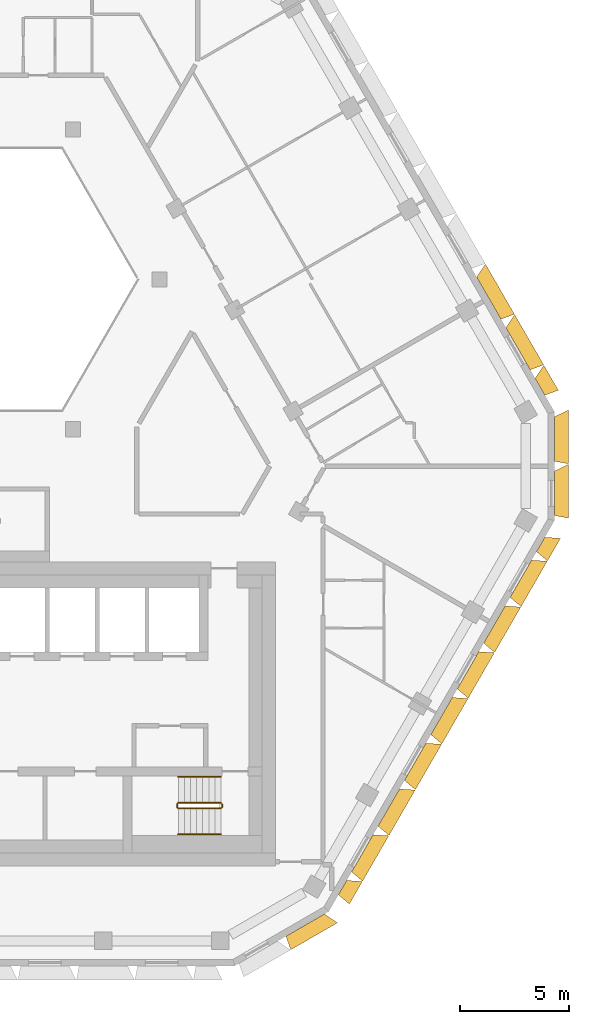
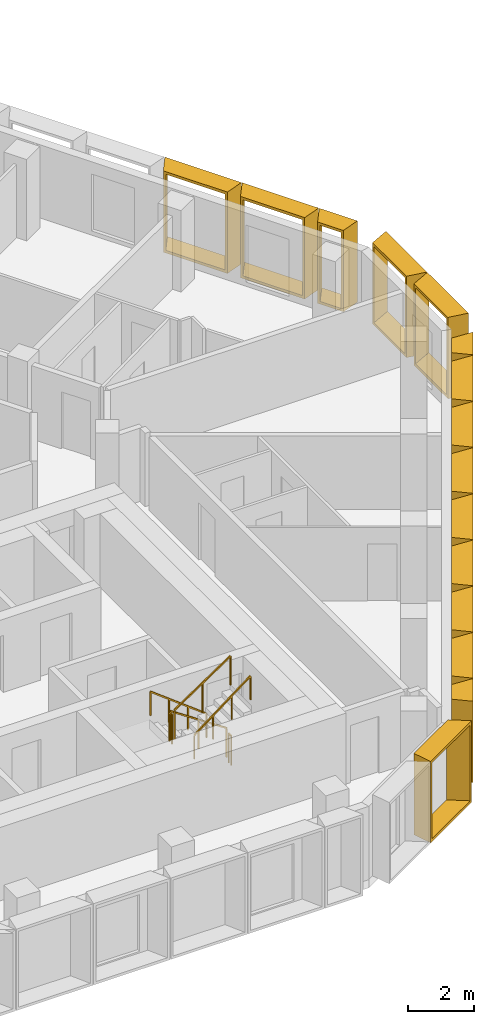
# One storey, part 14 of 15: 15 shading devices, 6 railings.
"""IFC4 building model written with IfcOpenShell, lengths in metres."""

from ifc_helpers import new_model, entity, si_unit, direction, frame, origin, origin_2d, place, context, subcontext, project, spatial, rectangle, extrude, source, transform, mapped, material, type_object, type_shapes, element, save


model = new_model("IFC4")

# Units and contexts
model_context = context("Model", 3, precision=1e-05, world=origin(), true_north=direction((0.0, 1.0)))
body_context = subcontext(model_context, "Body", "Model", "MODEL_VIEW")
ifc_project = project(units=[si_unit("LENGTHUNIT", "METRE"), si_unit("AREAUNIT", "SQUARE_METRE"), si_unit("VOLUMEUNIT", "CUBIC_METRE"), si_unit("PLANEANGLEUNIT", "RADIAN"), si_unit("MASSUNIT", "GRAM", prefix="KILO")], contexts=[model_context])

# Site, building, storey
site_placement = place(None, origin())
site = spatial("IfcSite", under=ifc_project, at=site_placement, CompositionType="ELEMENT")
building_placement = place(site_placement, origin())
building = spatial("IfcBuilding", under=site, at=building_placement, Name="Beryl Residences", CompositionType="ELEMENT")
storey_placement = place(building_placement, frame((0.0, 0.0, 193.199951171875)))
storey = spatial("IfcBuildingStorey", under=building, at=storey_placement, Name="L59", CompositionType="ELEMENT", Elevation=193.199951171875)

# Shading devices
ifc_material_1 = material(Name="Aluminium pale anodised", Category="aluminium")
shading_device_type_1 = type_object("IfcShadingDeviceType", Name="FR122-65C OUTER SKIN frame 650 mm deep, splay 10/26 deg, 1220 x 3000 mm cell", PredefinedType="USERDEFINED", material=ifc_material_1)
cartesian_point_1 = entity("IfcCartesianPoint", [-0.384033203125, 0.0])
cartesian_point_2 = entity("IfcCartesianPoint", [-0.302734375, 0.10009765625])
cartesian_point_3 = entity("IfcCartesianPoint", [-0.49853515625, 0.0])
cartesian_point_4 = entity("IfcCartesianPoint", [-0.41748046875, 0.10009765625])
shared_shape_1 = source(origin(), body_context, "Body", "SweptSolid", [
    entity("IfcExtrudedAreaSolidTapered", entity("IfcArbitraryProfileDefWithVoids", "AREA", None, entity("IfcPolyline", [cartesian_point_1, entity("IfcCartesianPoint", [0.384033203125, 0.0]), entity("IfcCartesianPoint", [0.384033203125, 3.0]), entity("IfcCartesianPoint", [-0.384033203125, 3.0]), cartesian_point_1]), [entity("IfcPolyline", [cartesian_point_2, entity("IfcCartesianPoint", [0.294921875, 0.10009765625]), entity("IfcCartesianPoint", [0.294921875, 2.89990234375]), entity("IfcCartesianPoint", [-0.302734375, 2.89990234375]), cartesian_point_2])]), entity("IfcAxis2Placement3D", entity("IfcCartesianPoint", [0.0, 0.0, 0.0]), entity("IfcDirection", [0.0, 1.0, 0.0]), entity("IfcDirection", [-1.0, 0.0, 0.0])), entity("IfcDirection", [0.0, 0.0, 1.0]), 0.64990234375, entity("IfcArbitraryProfileDefWithVoids", "AREA", None, entity("IfcPolyline", [cartesian_point_3, entity("IfcCartesianPoint", [0.700927734375, 0.0]), entity("IfcCartesianPoint", [0.700927734375, 3.0]), entity("IfcCartesianPoint", [-0.49853515625, 3.0]), cartesian_point_3]), [entity("IfcPolyline", [cartesian_point_4, entity("IfcCartesianPoint", [0.612060546875, 0.10009765625]), entity("IfcCartesianPoint", [0.612060546875, 2.89990234375]), entity("IfcCartesianPoint", [-0.41748046875, 2.89990234375]), cartesian_point_4])])),
])
type_shapes(shading_device_type_1, [shared_shape_1])
for number, where, z_axis, x_axis, name in (
    (1, (16.39697265625, -19.9990234375, 0.0), (0.0, 0.0, 1.0), (-0.5, -0.866025403784, 0.0), "FR122-65C frame L59 SE 1"),
    (2, (25.51611328125, -4.202880859375, 0.0), (0.0, 0.0, 1.0), (-0.5, -0.866025403784, 0.0), "FR122-65C frame L59 SE 9"),
):
    element("IfcShadingDevice", number, at=place(storey_placement, frame(where, z_axis=z_axis, x_axis=x_axis)), inside=storey, type_object=shading_device_type_1, Name=name, ObjectType="OUTER SKIN", PredefinedType="USERDEFINED", context=body_context, shape_type="MappedRepresentation", body=[
        mapped(shared_shape_1, transform((0.0, 0.0, 0.0))),
    ])
ifc_material_2 = material(Name="Aluminium pale anodised", Category="aluminium")
shading_device_type_2 = type_object("IfcShadingDeviceType", Name="FR135-65C OUTER SKIN frame 650 mm deep, splay 10/26 deg, 1350 x 3000 mm cell", PredefinedType="USERDEFINED", material=ifc_material_2)
cartesian_point_5 = entity("IfcCartesianPoint", [-0.448974609375, 0.0])
cartesian_point_6 = entity("IfcCartesianPoint", [-0.36767578125, 0.10009765625])
cartesian_point_7 = entity("IfcCartesianPoint", [-0.563720703125, 0.0])
cartesian_point_8 = entity("IfcCartesianPoint", [-0.482421875, 0.10009765625])
shared_shape_2 = source(origin(), body_context, "Body", "SweptSolid", [
    entity("IfcExtrudedAreaSolidTapered", entity("IfcArbitraryProfileDefWithVoids", "AREA", None, entity("IfcPolyline", [cartesian_point_5, entity("IfcCartesianPoint", [0.448974609375, 0.0]), entity("IfcCartesianPoint", [0.448974609375, 3.0]), entity("IfcCartesianPoint", [-0.448974609375, 3.0]), cartesian_point_5]), [entity("IfcPolyline", [cartesian_point_6, entity("IfcCartesianPoint", [0.360107421875, 0.10009765625]), entity("IfcCartesianPoint", [0.360107421875, 2.89990234375]), entity("IfcCartesianPoint", [-0.36767578125, 2.89990234375]), cartesian_point_6])]), entity("IfcAxis2Placement3D", entity("IfcCartesianPoint", [0.0, 0.0, 0.0]), entity("IfcDirection", [0.0, 1.0, 0.0]), entity("IfcDirection", [-1.0, 0.0, 0.0])), entity("IfcDirection", [0.0, 0.0, 1.0]), 0.64990234375, entity("IfcArbitraryProfileDefWithVoids", "AREA", None, entity("IfcPolyline", [cartesian_point_7, entity("IfcCartesianPoint", [0.76611328125, 0.0]), entity("IfcCartesianPoint", [0.76611328125, 3.0]), entity("IfcCartesianPoint", [-0.563720703125, 3.0]), cartesian_point_7]), [entity("IfcPolyline", [cartesian_point_8, entity("IfcCartesianPoint", [0.677001953125, 0.10009765625]), entity("IfcCartesianPoint", [0.677001953125, 2.89990234375]), entity("IfcCartesianPoint", [-0.482421875, 2.89990234375]), cartesian_point_8])])),
])
type_shapes(shading_device_type_2, [shared_shape_2])
shading_device_placement = place(storey_placement, frame((25.485107421875, 3.056884765625, 0.0), z_axis=(0.0, 0.0, 1.0), x_axis=(0.5, -0.866025403784, 0.0)))
element("IfcShadingDevice", 3, at=shading_device_placement, inside=storey, type_object=shading_device_type_2, Name="FR135-65C frame L59 NE 1", ObjectType="OUTER SKIN", PredefinedType="USERDEFINED", context=body_context, shape_type="MappedRepresentation", body=[
    mapped(shared_shape_2, transform((0.0, 0.0, 0.0))),
])
ifc_material_3 = material(Name="Aluminium pale anodised", Category="aluminium")
shading_device_type_3 = type_object("IfcShadingDeviceType", Name="FR243-65C OUTER SKIN frame 650 mm deep, splay 10/26 deg, 2430 x 3000 mm cell", PredefinedType="USERDEFINED", material=ifc_material_3)
cartesian_point_9 = entity("IfcCartesianPoint", [-0.989013671875, 0.0])
cartesian_point_10 = entity("IfcCartesianPoint", [-0.90771484375, 0.10009765625])
cartesian_point_11 = entity("IfcCartesianPoint", [-1.103515625, 0.0])
cartesian_point_12 = entity("IfcCartesianPoint", [-1.0224609375, 0.10009765625])
shared_shape_3 = source(origin(), body_context, "Body", "SweptSolid", [
    entity("IfcExtrudedAreaSolidTapered", entity("IfcArbitraryProfileDefWithVoids", "AREA", None, entity("IfcPolyline", [cartesian_point_9, entity("IfcCartesianPoint", [0.989013671875, 0.0]), entity("IfcCartesianPoint", [0.989013671875, 3.0]), entity("IfcCartesianPoint", [-0.989013671875, 3.0]), cartesian_point_9]), [entity("IfcPolyline", [cartesian_point_10, entity("IfcCartesianPoint", [0.89990234375, 0.10009765625]), entity("IfcCartesianPoint", [0.89990234375, 2.89990234375]), entity("IfcCartesianPoint", [-0.90771484375, 2.89990234375]), cartesian_point_10])]), entity("IfcAxis2Placement3D", entity("IfcCartesianPoint", [0.0, 0.0, 0.0]), entity("IfcDirection", [0.0, 1.0, 0.0]), entity("IfcDirection", [-1.0, 0.0, 0.0])), entity("IfcDirection", [0.0, 0.0, 1.0]), 0.64990234375, entity("IfcArbitraryProfileDefWithVoids", "AREA", None, entity("IfcPolyline", [cartesian_point_11, entity("IfcCartesianPoint", [1.305908203125, 0.0]), entity("IfcCartesianPoint", [1.305908203125, 3.0]), entity("IfcCartesianPoint", [-1.103515625, 3.0]), cartesian_point_11]), [entity("IfcPolyline", [cartesian_point_12, entity("IfcCartesianPoint", [1.217041015625, 0.10009765625]), entity("IfcCartesianPoint", [1.217041015625, 2.89990234375]), entity("IfcCartesianPoint", [-1.0224609375, 2.89990234375]), cartesian_point_12])])),
])
type_shapes(shading_device_type_3, [shared_shape_3])
for number, where, z_axis, x_axis, name in (
    (4, (17.30908203125, -18.4189453125, 0.0), (0.0, 0.0, 1.0), (-0.5, -0.866025403784, 0.0), "FR243-65C frame L59 SE 2"),
    (5, (18.52490234375, -16.31298828125, 0.0), (0.0, 0.0, 1.0), (-0.5, -0.866025403784, 0.0), "FR243-65C frame L59 SE 3"),
    (6, (19.740966796875, -14.20703125, 0.0), (0.0, 0.0, 1.0), (-0.5, -0.866025403784, 0.0), "FR243-65C frame L59 SE 4"),
    (7, (20.95703125, -12.10107421875, 0.0), (0.0, 0.0, 1.0), (-0.5, -0.866025403784, 0.0), "FR243-65C frame L59 SE 5"),
    (8, (22.172119140625, -9.9951171875, 0.0), (0.0, 0.0, 1.0), (-0.5, -0.866025403784, 0.0), "FR243-65C frame L59 SE 6"),
    (9, (23.387939453125, -7.888916015625, 0.0), (0.0, 0.0, 1.0), (-0.5, -0.866025403784, 0.0), "FR243-65C frame L59 SE 7"),
    (10, (24.60400390625, -5.781982421875, 0.0), (0.0, 0.0, 1.0), (-0.5, -0.866025403784, 0.0), "FR243-65C frame L59 SE 8"),
):
    element("IfcShadingDevice", number, at=place(storey_placement, frame(where, z_axis=z_axis, x_axis=x_axis)), inside=storey, type_object=shading_device_type_3, Name=name, ObjectType="OUTER SKIN", PredefinedType="USERDEFINED", context=body_context, shape_type="MappedRepresentation", body=[
        mapped(shared_shape_3, transform((0.0, 0.0, 0.0))),
    ])
ifc_material_4 = material(Name="Aluminium pale anodised", Category="aluminium")
shading_device_type_4 = type_object("IfcShadingDeviceType", Name="FR250-65C OUTER SKIN frame 650 mm deep, splay 10/26 deg, 2500 x 3000 mm cell", PredefinedType="USERDEFINED", material=ifc_material_4)
cartesian_point_13 = entity("IfcCartesianPoint", [-1.02392578125, 0.0])
cartesian_point_14 = entity("IfcCartesianPoint", [-0.94287109375, 0.10009765625])
cartesian_point_15 = entity("IfcCartesianPoint", [-1.138671875, 0.0])
cartesian_point_16 = entity("IfcCartesianPoint", [-1.057373046875, 0.10009765625])
shared_shape_4 = source(origin(), body_context, "Body", "SweptSolid", [
    entity("IfcExtrudedAreaSolidTapered", entity("IfcArbitraryProfileDefWithVoids", "AREA", None, entity("IfcPolyline", [cartesian_point_13, entity("IfcCartesianPoint", [1.02392578125, 0.0]), entity("IfcCartesianPoint", [1.02392578125, 3.0]), entity("IfcCartesianPoint", [-1.02392578125, 3.0]), cartesian_point_13]), [entity("IfcPolyline", [cartesian_point_14, entity("IfcCartesianPoint", [0.93505859375, 0.10009765625]), entity("IfcCartesianPoint", [0.93505859375, 2.89990234375]), entity("IfcCartesianPoint", [-0.94287109375, 2.89990234375]), cartesian_point_14])]), entity("IfcAxis2Placement3D", entity("IfcCartesianPoint", [0.0, 0.0, 0.0]), entity("IfcDirection", [0.0, 1.0, 0.0]), entity("IfcDirection", [-1.0, 0.0, 0.0])), entity("IfcDirection", [0.0, 0.0, 1.0]), 0.64990234375, entity("IfcArbitraryProfileDefWithVoids", "AREA", None, entity("IfcPolyline", [cartesian_point_15, entity("IfcCartesianPoint", [1.341064453125, 0.0]), entity("IfcCartesianPoint", [1.341064453125, 3.0]), entity("IfcCartesianPoint", [-1.138671875, 3.0]), cartesian_point_15]), [entity("IfcPolyline", [cartesian_point_16, entity("IfcCartesianPoint", [1.251953125, 0.10009765625]), entity("IfcCartesianPoint", [1.251953125, 2.89990234375]), entity("IfcCartesianPoint", [-1.057373046875, 2.89990234375]), cartesian_point_16])])),
])
type_shapes(shading_device_type_4, [shared_shape_4])
for number, where, z_axis, x_axis, name in (
    (11, (14.677978515625, -21.72509765625, 0.0), (0.0, 0.0, 1.0), (-0.866025403784, -0.5, 0.0), "FR250-65C frame L59 S-SE 2"),
    (12, (26.154052734375, -1.85009765625, 0.0), (0.0, 0.0, 1.0), (0.0, -1.0, 0.0), "FR250-65C frame L59 SE-NE 1"),
    (13, (26.154052734375, 0.64990234375, 0.0), (0.0, 0.0, 1.0), (0.0, -1.0, 0.0), "FR250-65C frame L59 SE-NE 2"),
):
    element("IfcShadingDevice", number, at=place(storey_placement, frame(where, z_axis=z_axis, x_axis=x_axis)), inside=storey, type_object=shading_device_type_4, Name=name, ObjectType="OUTER SKIN", PredefinedType="USERDEFINED", context=body_context, shape_type="MappedRepresentation", body=[
        mapped(shared_shape_4, transform((0.0, 0.0, 0.0))),
    ])
ifc_material_5 = material(Name="Aluminium pale anodised", Category="aluminium")
shading_device_type_5 = type_object("IfcShadingDeviceType", Name="FR269-65C OUTER SKIN frame 650 mm deep, splay 10/26 deg, 2690 x 3000 mm cell", PredefinedType="USERDEFINED", material=ifc_material_5)
cartesian_point_17 = entity("IfcCartesianPoint", [-1.118896484375, 0.0])
cartesian_point_18 = entity("IfcCartesianPoint", [-1.037841796875, 0.10009765625])
cartesian_point_19 = entity("IfcCartesianPoint", [-1.233642578125, 0.0])
cartesian_point_20 = entity("IfcCartesianPoint", [-1.15234375, 0.10009765625])
shared_shape_5 = source(origin(), body_context, "Body", "SweptSolid", [
    entity("IfcExtrudedAreaSolidTapered", entity("IfcArbitraryProfileDefWithVoids", "AREA", None, entity("IfcPolyline", [cartesian_point_17, entity("IfcCartesianPoint", [1.118896484375, 0.0]), entity("IfcCartesianPoint", [1.118896484375, 3.0]), entity("IfcCartesianPoint", [-1.118896484375, 3.0]), cartesian_point_17]), [entity("IfcPolyline", [cartesian_point_18, entity("IfcCartesianPoint", [1.030029296875, 0.10009765625]), entity("IfcCartesianPoint", [1.030029296875, 2.89990234375]), entity("IfcCartesianPoint", [-1.037841796875, 2.89990234375]), cartesian_point_18])]), entity("IfcAxis2Placement3D", entity("IfcCartesianPoint", [0.0, 0.0, 0.0]), entity("IfcDirection", [0.0, 1.0, 0.0]), entity("IfcDirection", [-1.0, 0.0, 0.0])), entity("IfcDirection", [0.0, 0.0, 1.0]), 0.64990234375, entity("IfcArbitraryProfileDefWithVoids", "AREA", None, entity("IfcPolyline", [cartesian_point_19, entity("IfcCartesianPoint", [1.43603515625, 0.0]), entity("IfcCartesianPoint", [1.43603515625, 3.0]), entity("IfcCartesianPoint", [-1.233642578125, 3.0]), cartesian_point_19]), [entity("IfcPolyline", [cartesian_point_20, entity("IfcCartesianPoint", [1.346923828125, 0.10009765625]), entity("IfcCartesianPoint", [1.346923828125, 2.89990234375]), entity("IfcCartesianPoint", [-1.15234375, 2.89990234375]), cartesian_point_20])])),
])
type_shapes(shading_device_type_5, [shared_shape_5])
for number, where, z_axis, x_axis, name in (
    (14, (24.47607421875, 4.805908203125, 0.0), (0.0, 0.0, 1.0), (0.5, -0.866025403784, 0.0), "FR269-65C frame L59 NE 2"),
    (15, (23.1298828125, 7.136962890625, 0.0), (0.0, 0.0, 1.0), (0.5, -0.866025403784, 0.0), "FR269-65C frame L59 NE 3"),
):
    element("IfcShadingDevice", number, at=place(storey_placement, frame(where, z_axis=z_axis, x_axis=x_axis)), inside=storey, type_object=shading_device_type_5, Name=name, ObjectType="OUTER SKIN", PredefinedType="USERDEFINED", context=body_context, shape_type="MappedRepresentation", body=[
        mapped(shared_shape_5, transform((0.0, 0.0, 0.0))),
    ])

# Railings
ifc_material_6 = material(Name="Stainless steel balustrade with glass infill", Category="steel")
railing_type_1 = type_object("IfcRailingType", Name="SG1 stair guard 1100 mm", PredefinedType="GUARDRAIL", material=ifc_material_6)
railing_1_placement = place(storey_placement, frame((10.800048828125, -16.10009765625, 0.1875)))
element("IfcRailing", 16, at=railing_1_placement, inside=storey, type_object=railing_type_1, Name="L59 ST-3 stair guard 1", PredefinedType="GUARDRAIL", context=body_context, shape_type="SweptSolid", body=[
    extrude(rectangle(XDim=0.048095703125, YDim=0.048095703125, at=origin_2d()), frame((0.0, 0.0, 1.076171875), z_axis=(-0.830902050051, 0.0, 0.556418712142), x_axis=(0.0, -1.0, 0.0)), (0.0, 0.0, 1.0), 2.35888671875),
    extrude(rectangle(XDim=0.0419921875, YDim=0.0419921875, at=origin_2d()), origin(), (0.0, 0.0, 1.0), 1.052001953125),
    extrude(rectangle(XDim=0.0419921875, YDim=0.0419921875, at=origin_2d()), frame((-0.97998046875, 0.0, 0.65625)), (0.0, 0.0, 1.0), 1.052001953125),
    extrude(rectangle(XDim=0.0419921875, YDim=0.0419921875, at=origin_2d()), frame((-1.9599609375, 0.0, 1.3125)), (0.0, 0.0, 1.0), 1.052001953125),
])
railing_2_placement = place(storey_placement, frame((8.7900390625, -16.14990234375, 1.5)))
element("IfcRailing", 17, at=railing_2_placement, inside=storey, type_object=railing_type_1, Name="L59 ST-3 stair guard 2", PredefinedType="GUARDRAIL", context=body_context, shape_type="SweptSolid", body=[
    extrude(rectangle(XDim=0.048095703125, YDim=0.048095703125, at=origin_2d()), frame((0.0, 0.0, 1.076171875), z_axis=(0.0, -1.0, 0.0), x_axis=(1.0, 0.0, 0.0)), (0.0, 0.0, 1.0), 0.150146484375),
    extrude(rectangle(XDim=0.0419921875, YDim=0.0419921875, at=origin_2d()), origin(), (0.0, 0.0, 1.0), 1.052001953125),
    extrude(rectangle(XDim=0.0419921875, YDim=0.0419921875, at=origin_2d()), frame((0.0, -0.150146484375, 0.0)), (0.0, 0.0, 1.0), 1.052001953125),
])
railing_3_placement = place(storey_placement, frame((8.840087890625, -16.35009765625, 1.6875)))
element("IfcRailing", 18, at=railing_3_placement, inside=storey, type_object=railing_type_1, Name="L59 ST-3 stair guard 3", PredefinedType="GUARDRAIL", context=body_context, shape_type="SweptSolid", body=[
    extrude(rectangle(XDim=0.048095703125, YDim=0.048095703125, at=origin_2d()), frame((0.0, 0.0, 1.076171875), z_axis=(0.830902050051, 0.0, 0.556418712142), x_axis=(0.0, 1.0, 0.0)), (0.0, 0.0, 1.0), 2.35888671875),
    extrude(rectangle(XDim=0.0419921875, YDim=0.0419921875, at=origin_2d()), origin(), (0.0, 0.0, 1.0), 1.052001953125),
    extrude(rectangle(XDim=0.0419921875, YDim=0.0419921875, at=origin_2d()), frame((0.97998046875, 0.0, 0.65625)), (0.0, 0.0, 1.0), 1.052001953125),
    extrude(rectangle(XDim=0.0419921875, YDim=0.0419921875, at=origin_2d()), frame((1.9599609375, 0.0, 1.3125)), (0.0, 0.0, 1.0), 1.052001953125),
])
railing_4_placement = place(storey_placement, frame((10.85009765625, -16.14990234375, 0.0)))
element("IfcRailing", 19, at=railing_4_placement, inside=storey, type_object=railing_type_1, Name="L59 ST-3 stair guard 4", PredefinedType="GUARDRAIL", context=body_context, shape_type="SweptSolid", body=[
    extrude(rectangle(XDim=0.048095703125, YDim=0.048095703125, at=origin_2d()), frame((0.0, 0.0, 1.076171875), z_axis=(0.0, -1.0, 0.0), x_axis=(1.0, 0.0, 0.0)), (0.0, 0.0, 1.0), 0.150146484375),
    extrude(rectangle(XDim=0.0419921875, YDim=0.0419921875, at=origin_2d()), origin(), (0.0, 0.0, 1.0), 1.052001953125),
    extrude(rectangle(XDim=0.0419921875, YDim=0.0419921875, at=origin_2d()), frame((0.0, -0.150146484375, 0.0)), (0.0, 0.0, 1.0), 1.052001953125),
])
ifc_material_7 = material(Name="Stainless steel handrail", Category="steel")
railing_type_2 = type_object("IfcRailingType", Name="SRL1 stair handrail 900 mm", PredefinedType="HANDRAIL", material=ifc_material_7)
railing_5_placement = place(storey_placement, frame((10.800048828125, -14.89990234375, 0.1875)))
element("IfcRailing", 20, at=railing_5_placement, inside=storey, type_object=railing_type_2, Name="L59 ST-3 stair handrail 1", PredefinedType="HANDRAIL", context=body_context, shape_type="SweptSolid", body=[
    extrude(rectangle(XDim=0.048095703125, YDim=0.048095703125, at=origin_2d()), frame((0.0, 0.0, 0.8759765625), z_axis=(-0.794121922505, 0.0, 0.607758481798), x_axis=(0.0, -1.0, 0.0)), (0.0, 0.0, 1.0), 2.468017578125),
    extrude(rectangle(XDim=0.0419921875, YDim=0.0419921875, at=origin_2d()), origin(), (0.0, 0.0, 1.0), 0.851806640625),
    extrude(rectangle(XDim=0.0419921875, YDim=0.0419921875, at=origin_2d()), frame((-0.6533203125, 0.0, 0.5)), (0.0, 0.0, 1.0), 0.851806640625),
    extrude(rectangle(XDim=0.0419921875, YDim=0.0419921875, at=origin_2d()), frame((-1.306640625, 0.0, 1.0)), (0.0, 0.0, 1.0), 0.851806640625),
    extrude(rectangle(XDim=0.0419921875, YDim=0.0419921875, at=origin_2d()), frame((-1.9599609375, 0.0, 1.5)), (0.0, 0.0, 1.0), 0.851806640625),
])
railing_6_placement = place(storey_placement, frame((8.840087890625, -17.550048828125, 1.6875)))
element("IfcRailing", 21, at=railing_6_placement, inside=storey, type_object=railing_type_2, Name="L59 ST-3 stair handrail 2", PredefinedType="HANDRAIL", context=body_context, shape_type="SweptSolid", body=[
    extrude(rectangle(XDim=0.048095703125, YDim=0.048095703125, at=origin_2d()), frame((0.0, 0.0, 0.8759765625), z_axis=(0.794121922505, 0.0, 0.607758481798), x_axis=(0.0, 1.0, 0.0)), (0.0, 0.0, 1.0), 2.468017578125),
    extrude(rectangle(XDim=0.0419921875, YDim=0.0419921875, at=origin_2d()), origin(), (0.0, 0.0, 1.0), 0.851806640625),
    extrude(rectangle(XDim=0.0419921875, YDim=0.0419921875, at=origin_2d()), frame((0.6533203125, 0.0, 0.5)), (0.0, 0.0, 1.0), 0.851806640625),
    extrude(rectangle(XDim=0.0419921875, YDim=0.0419921875, at=origin_2d()), frame((1.306640625, 0.0, 1.0)), (0.0, 0.0, 1.0), 0.851806640625),
    extrude(rectangle(XDim=0.0419921875, YDim=0.0419921875, at=origin_2d()), frame((1.9599609375, 0.0, 1.5)), (0.0, 0.0, 1.0), 0.851806640625),
])

save(model, "model.ifc")
